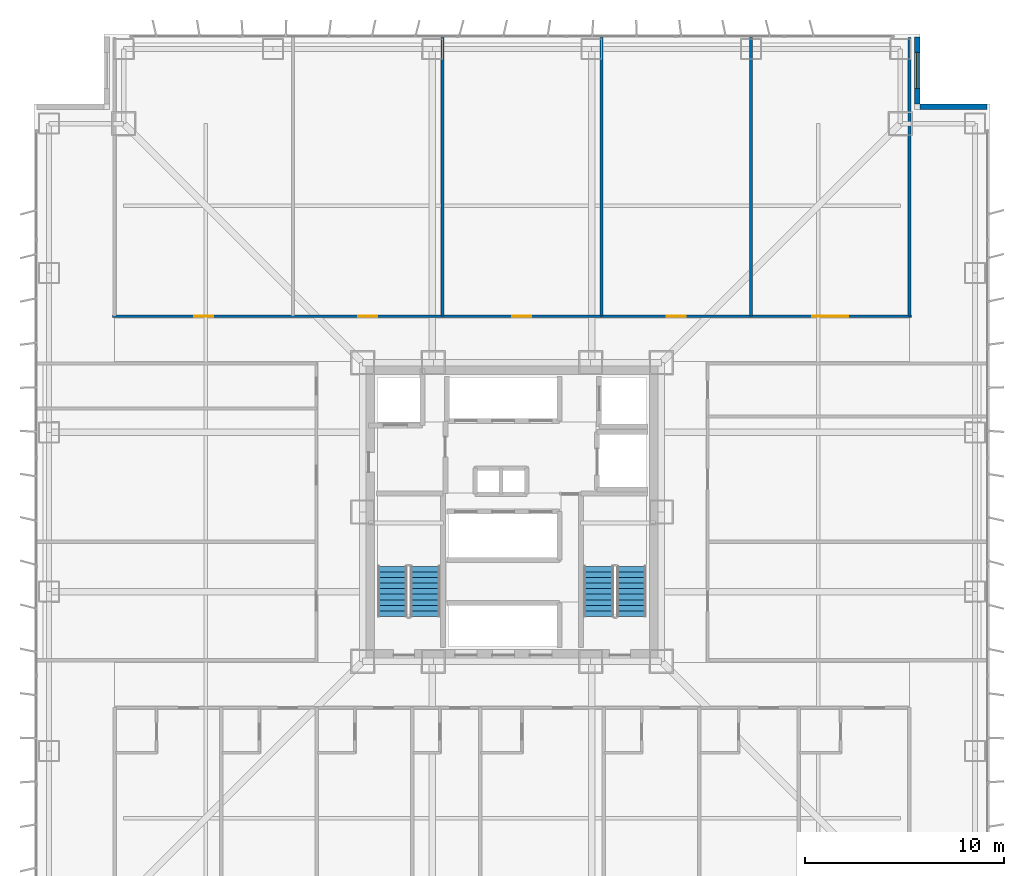
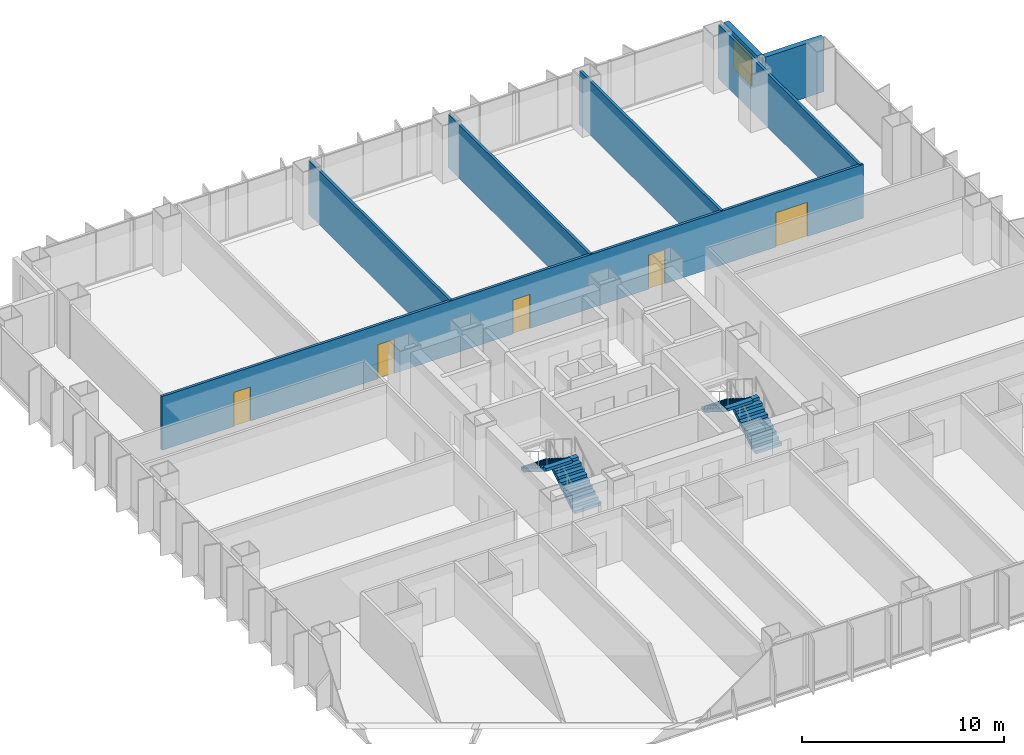
# One storey, part 16 of 19: 7 walls, 5 doors, 4 stair flights, 1 window, 6 openings, 2 elements without a shape of their own.
"""IFC4 building model written with IfcOpenShell, lengths in metres."""

from ifc_helpers import new_model, si_unit, direction, frame, frame_2d, origin, place, context, subcontext, project, spatial, polyline, rectangle, outline, extrude, material, layer, layer_set, type_object, element, fill, aggregate, save


model = new_model("IFC4")

# Units and contexts
model_context = context("Model", 3, precision=1e-05, world=origin(), true_north=direction((0.0, 1.0)))
body_context = subcontext(model_context, "Body", "Model", "MODEL_VIEW")
ifc_project = project(units=[si_unit("LENGTHUNIT", "METRE"), si_unit("AREAUNIT", "SQUARE_METRE"), si_unit("VOLUMEUNIT", "CUBIC_METRE"), si_unit("PLANEANGLEUNIT", "RADIAN"), si_unit("MASSUNIT", "GRAM", prefix="KILO")], contexts=[model_context])

# Site, building, storey
site_placement = place(None, origin())
site = spatial("IfcSite", under=ifc_project, at=site_placement, CompositionType="ELEMENT")
building_placement = place(site_placement, origin())
building = spatial("IfcBuilding", under=site, at=building_placement, Name="Trevonay Congress Spire", CompositionType="ELEMENT")
storey_placement = place(building_placement, frame((0.0, 0.0, 58.5)))
storey = spatial("IfcBuildingStorey", under=building, at=storey_placement, Name="L14", CompositionType="ELEMENT", Elevation=58.5)

# Wall, openings, doors
ifc_material_1 = material(Name="Concrete C40/50", Category="concrete")
ifc_layer_1 = layer(ifc_material_1, 0.14990234375, Name="Concrete C40/50")
ifc_layer_set_1 = layer_set([ifc_layer_1], Name="Concrete C40/50")
wall_type_1 = type_object("IfcWallType", Name="WAL-CORR-150", PredefinedType="PARTITIONING", material=ifc_layer_set_1)
wall_1_placement = place(storey_placement, frame((-20.070068359375, 9.830078125, 0.0), z_axis=(0.0, 0.0, 1.0), x_axis=(1.0, 0.0, 0.0)))
wall_1 = element("IfcWall", 1, at=wall_1_placement, inside=storey, type_object=wall_type_1, Name="L14 interior wall WP-L14N-COR", PredefinedType="PARTITIONING", context=body_context, shape_type="SweptSolid", body=[
    extrude(rectangle(XDim=40.14013671875, YDim=0.14990234375, at=frame_2d((20.070068359375, 0.0))), origin(), (0.0, 0.0, 1.0), 3.25),
])
opening_1_placement = place(wall_1_placement, frame((4.1201171875, 0.0, 0.0)))
opening_1 = element("IfcOpeningElement", 2, at=opening_1_placement, cuts=wall_1, Name="Opening D07", PredefinedType="OPENING", context=body_context, shape_type="SweptSolid", body=[
    extrude(rectangle(XDim=0.949951171875, YDim=2.06005859375, at=frame_2d((0.47509765625, 1.030029296875))), frame((0.0, 0.0849609375, 0.0), z_axis=(0.0, -1.0, 0.0), x_axis=(1.0, 0.0, 0.0)), (0.0, 0.0, 1.0), 0.169921875),
])
opening_2_placement = place(wall_1_placement, frame((12.344970703125, 0.0, 0.0)))
opening_2 = element("IfcOpeningElement", 3, at=opening_2_placement, cuts=wall_1, Name="Opening D07", PredefinedType="OPENING", context=body_context, shape_type="SweptSolid", body=[
    extrude(rectangle(XDim=0.949951171875, YDim=2.06005859375, at=frame_2d((0.47509765625, 1.030029296875))), frame((0.0, 0.0849609375, 0.0), z_axis=(0.0, -1.0, 0.0), x_axis=(1.0, 0.0, 0.0)), (0.0, 0.0, 1.0), 0.169921875),
])
opening_3_placement = place(wall_1_placement, frame((20.094970703125, 0.0, 0.0)))
opening_3 = element("IfcOpeningElement", 4, at=opening_3_placement, cuts=wall_1, Name="Opening D07", PredefinedType="OPENING", context=body_context, shape_type="SweptSolid", body=[
    extrude(rectangle(XDim=0.949951171875, YDim=2.06005859375, at=frame_2d((0.47509765625, 1.030029296875))), frame((0.0, 0.0849609375, 0.0), z_axis=(0.0, -1.0, 0.0), x_axis=(1.0, 0.0, 0.0)), (0.0, 0.0, 1.0), 0.169921875),
])
opening_4_placement = place(wall_1_placement, frame((27.844970703125, 0.0, 0.0)))
opening_4 = element("IfcOpeningElement", 5, at=opening_4_placement, cuts=wall_1, Name="Opening D07", PredefinedType="OPENING", context=body_context, shape_type="SweptSolid", body=[
    extrude(rectangle(XDim=0.949951171875, YDim=2.06005859375, at=frame_2d((0.47509765625, 1.030029296875))), frame((0.0, 0.0849609375, 0.0), z_axis=(0.0, -1.0, 0.0), x_axis=(1.0, 0.0, 0.0)), (0.0, 0.0, 1.0), 0.169921875),
])
opening_5_placement = place(wall_1_placement, frame((35.14501953125, 0.0, 0.0)))
opening_5 = element("IfcOpeningElement", 6, at=opening_5_placement, cuts=wall_1, Name="Opening D09", PredefinedType="OPENING", context=body_context, shape_type="SweptSolid", body=[
    extrude(rectangle(XDim=1.800048828125, YDim=2.080078125, at=frame_2d((0.89990234375, 1.0400390625))), frame((0.0, 0.0849609375, 0.0), z_axis=(0.0, -1.0, 0.0), x_axis=(1.0, 0.0, 0.0)), (0.0, 0.0, 1.0), 0.169921875),
])
ifc_material_2 = material(Name="Pale Anodised Aluminium EN AW-6063-T6", Category="aluminium")
door_type_1 = type_object("IfcDoorType", Name="DOR-CONF-DBL", OperationType="DOUBLE_DOOR_SINGLE_SWING", PredefinedType="DOOR", material=ifc_material_2)
door_1_placement = place(opening_5_placement, origin())
door_1 = element("IfcDoor", 7, at=door_1_placement, inside=storey, type_object=door_type_1, Name="L14 Club Reading Library Lounge Door", OperationType="DOUBLE_DOOR_SINGLE_SWING", OverallHeight=2.080078125, OverallWidth=1.800048828125, PredefinedType="DOOR", context=body_context, shape_type="SweptSolid", body=[
    extrude(rectangle(XDim=1.800048828125, YDim=2.080078125, at=frame_2d((0.89990234375, 1.0400390625))), frame((0.0, 0.02490234375, 0.0), z_axis=(0.0, -1.0, 0.0), x_axis=(1.0, 0.0, 0.0)), (0.0, 0.0, 1.0), 0.050048828125),
])
fill(opening_5, door_1)
door_type_2 = type_object("IfcDoorType", Name="DOR-OFFICE-95", OperationType="NOTDEFINED", PredefinedType="DOOR", material=ifc_material_2)
door_2_placement = place(opening_1_placement, origin())
door_2 = element("IfcDoor", 8, at=door_2_placement, inside=storey, type_object=door_type_2, Name="L14 Executive Club Co-Working Office 1 Door", OperationType="SINGLE_SWING_LEFT", OverallHeight=2.06005859375, OverallWidth=0.949951171875, PredefinedType="DOOR", context=body_context, shape_type="SweptSolid", body=[
    extrude(rectangle(XDim=0.949951171875, YDim=2.06005859375, at=frame_2d((0.47509765625, 1.030029296875))), frame((0.0, 0.02490234375, 0.0), z_axis=(0.0, -1.0, 0.0), x_axis=(1.0, 0.0, 0.0)), (0.0, 0.0, 1.0), 0.050048828125),
])
fill(opening_1, door_2)
door_3_placement = place(opening_2_placement, origin())
door_3 = element("IfcDoor", 9, at=door_3_placement, inside=storey, type_object=door_type_2, Name="L14 Visiting Delegation Office 2 Door", OperationType="SINGLE_SWING_RIGHT", OverallHeight=2.06005859375, OverallWidth=0.949951171875, PredefinedType="DOOR", context=body_context, shape_type="SweptSolid", body=[
    extrude(rectangle(XDim=0.949951171875, YDim=2.06005859375, at=frame_2d((0.47509765625, 1.030029296875))), frame((0.0, 0.02490234375, 0.0), z_axis=(0.0, -1.0, 0.0), x_axis=(1.0, 0.0, 0.0)), (0.0, 0.0, 1.0), 0.050048828125),
])
fill(opening_2, door_3)
door_4_placement = place(opening_3_placement, origin())
door_4 = element("IfcDoor", 10, at=door_4_placement, inside=storey, type_object=door_type_2, Name="L14 Diplomatic Secretariat Office 3 Door", OperationType="SINGLE_SWING_LEFT", OverallHeight=2.06005859375, OverallWidth=0.949951171875, PredefinedType="DOOR", context=body_context, shape_type="SweptSolid", body=[
    extrude(rectangle(XDim=0.949951171875, YDim=2.06005859375, at=frame_2d((0.47509765625, 1.030029296875))), frame((0.0, 0.02490234375, 0.0), z_axis=(0.0, -1.0, 0.0), x_axis=(1.0, 0.0, 0.0)), (0.0, 0.0, 1.0), 0.050048828125),
])
fill(opening_3, door_4)
door_5_placement = place(opening_4_placement, origin())
door_5 = element("IfcDoor", 11, at=door_5_placement, inside=storey, type_object=door_type_2, Name="L14 Executive Boardroom North Door", OperationType="SINGLE_SWING_RIGHT", OverallHeight=2.06005859375, OverallWidth=0.949951171875, PredefinedType="DOOR", context=body_context, shape_type="SweptSolid", body=[
    extrude(rectangle(XDim=0.949951171875, YDim=2.06005859375, at=frame_2d((0.47509765625, 1.030029296875))), frame((0.0, 0.02490234375, 0.0), z_axis=(0.0, -1.0, 0.0), x_axis=(1.0, 0.0, 0.0)), (0.0, 0.0, 1.0), 0.050048828125),
])
fill(opening_4, door_5)

# Wall, opening, window
ifc_material_3 = material(Name="Precast concrete C40/50", Category="concrete")
ifc_layer_2 = layer(ifc_material_3, 0.300048828125, Name="Precast concrete C40/50")
ifc_layer_set_2 = layer_set([ifc_layer_2], Name="Precast concrete C40/50")
wall_type_2 = type_object("IfcWallType", Name="WAL-EXT-PRECAST-300", PredefinedType="SOLIDWALL", material=ifc_layer_set_2)
wall_2_placement = place(storey_placement, frame((20.35009765625, 23.85009765625, 0.0), z_axis=(0.0, 0.0, 1.0), x_axis=(0.0, -1.0, 0.0)))
wall_2 = element("IfcWall", 12, at=wall_2_placement, inside=storey, type_object=wall_type_2, Name="L14 NE re-entrant notch exterior wall 1", PredefinedType="SOLIDWALL", context=body_context, shape_type="SweptSolid", body=[
    extrude(rectangle(XDim=3.35009765625, YDim=0.300048828125, at=frame_2d((1.675048828125, 0.0))), origin(), (0.0, 0.0, 1.0), 3.25),
])
opening_6_placement = place(wall_2_placement, frame((0.77490234375, 0.0, 0.89990234375)))
opening_6 = element("IfcOpeningElement", 13, at=opening_6_placement, cuts=wall_2, Name="Opening WN01", PredefinedType="OPENING", context=body_context, shape_type="SweptSolid", body=[
    extrude(rectangle(XDim=1.800048828125, YDim=1.800048828125, at=frame_2d((0.89990234375, 0.89990234375))), frame((0.0, 0.16015625, 0.0), z_axis=(0.0, -1.0, 0.0), x_axis=(1.0, 0.0, 0.0)), (0.0, 0.0, 1.0), 0.320068359375),
])
ifc_material_4 = material(Name="Insulated Low-E Vision Glass IGU", Category="glass")
window_type = type_object("IfcWindowType", Name="WIN-HOTEL-180X180", PartitioningType="SINGLE_PANEL", PredefinedType="WINDOW", material=ifc_material_4)
window_placement = place(opening_6_placement, origin())
window = element("IfcWindow", 14, at=window_placement, inside=storey, type_object=window_type, Name="L14 NE corner notch window", OverallHeight=1.800048828125, OverallWidth=1.800048828125, PartitioningType="SINGLE_PANEL", PredefinedType="WINDOW", context=body_context, shape_type="SweptSolid", body=[
    extrude(rectangle(XDim=1.800048828125, YDim=1.800048828125, at=frame_2d((0.89990234375, 0.89990234375))), frame((0.0, 0.030029296875, 0.0), z_axis=(0.0, -1.0, 0.0), x_axis=(1.0, 0.0, 0.0)), (0.0, 0.0, 1.0), 0.06005859375),
])
fill(opening_6, window)

# Walls
wall_3_placement = place(storey_placement, frame((23.85009765625, 20.35009765625, 0.0), z_axis=(0.0, 0.0, 1.0), x_axis=(-1.0, 0.0, 0.0)))
element("IfcWall", 15, at=wall_3_placement, inside=storey, type_object=wall_type_2, Name="L14 NE re-entrant notch exterior wall 2", PredefinedType="SOLIDWALL", context=body_context, shape_type="SweptSolid", body=[
    extrude(rectangle(XDim=3.35009765625, YDim=0.300048828125, at=frame_2d((1.675048828125, 0.0))), origin(), (0.0, 0.0, 1.0), 3.25),
])
ifc_layer_3 = layer(ifc_material_1, 0.14990234375, Name="Concrete C40/50")
ifc_layer_set_3 = layer_set([ifc_layer_3], Name="Concrete C40/50")
wall_type_3 = type_object("IfcWallType", Name="WAL-PART-150", PredefinedType="PARTITIONING", material=ifc_layer_set_3)
for number, where, z_axis, x_axis, name in (
    (16, (-3.5, 9.830078125, 0.0), (0.0, 0.0, 1.0), (0.0, 1.0, 0.0), "L14 interior wall WP-L14N-DIV3"),
    (17, (4.5, 9.830078125, 0.0), (0.0, 0.0, 1.0), (0.0, 1.0, 0.0), "L14 interior wall WP-L14N-DIV4"),
    (18, (12.0, 9.830078125, 0.0), (0.0, 0.0, 1.0), (0.0, 1.0, 0.0), "L14 interior wall WP-L14N-DIV5"),
    (19, (19.949951171875, 9.830078125, 0.0), (0.0, 0.0, 1.0), (0.0, 1.0, 0.0), "L14 interior wall WP-L14N-DIV6"),
):
    element("IfcWall", number, at=place(storey_placement, frame(where, z_axis=z_axis, x_axis=x_axis)), inside=storey, type_object=wall_type_3, Name=name, PredefinedType="PARTITIONING", context=body_context, shape_type="SweptSolid", body=[
        extrude(rectangle(XDim=13.989990234375, YDim=0.14990234375, at=frame_2d((6.9951171875, 0.0))), origin(), (0.0, 0.0, 1.0), 3.25),
    ])

# Stair, stair flights
stair_type_1 = type_object("IfcStairType", Name="STR-ST-1", PredefinedType="HALF_TURN_STAIR", material=ifc_material_1)
stair_1_placement = place(storey_placement, origin())
stair_1 = element("IfcStair", 20, at=stair_1_placement, inside=storey, type_object=stair_type_1, Name="L14 Protected Exit Stair ST-1", PredefinedType="HALF_TURN_STAIR")
stair_flight_type_1 = type_object("IfcStairFlightType", Name="SFL-ST-1", PredefinedType="STRAIGHT", material=ifc_material_1)
stair_flight_1_placement = place(storey_placement, frame((-4.35009765625, -5.25, 0.0), z_axis=(0.0, 0.0, 1.0), x_axis=(0.0, 1.0, 0.0)))
stair_flight_1 = element("IfcStairFlight", 21, at=stair_flight_1_placement, type_object=stair_flight_type_1, Name="ST-1 flight 1", NumberOfRisers=10, NumberOfTreads=9, PredefinedType="STRAIGHT", RiserHeight=0.175, TreadLength=0.28, context=body_context, shape_type="SweptSolid", body=[
    extrude(outline(polyline([(0.0, 0.0), (0.0, 0.175048828125), (0.280029296875, 0.175048828125), (0.280029296875, 0.35009765625), (0.56005859375, 0.35009765625), (0.56005859375, 0.52490234375), (0.840087890625, 0.52490234375), (0.840087890625, 0.699951171875), (1.1201171875, 0.699951171875), (1.1201171875, 0.875), (1.39990234375, 0.875), (1.39990234375, 1.050048828125), (1.679931640625, 1.050048828125), (1.679931640625, 1.22509765625), (1.9599609375, 1.22509765625), (1.9599609375, 1.39990234375), (2.239990234375, 1.39990234375), (2.239990234375, 1.574951171875), (2.52001953125, 1.574951171875), (2.52001953125, 1.75), (2.52001953125, 1.398193359375), (0.28271484375, 0.0), (0.0, 0.0)])), frame((0.0, 0.75, 0.0), z_axis=(0.0, -1.0, 0.0), x_axis=(1.0, 0.0, 0.0)), (0.0, 0.0, 1.0), 1.5),
])
stair_flight_2_placement = place(storey_placement, frame((-6.0, -2.72998046875, 1.75), z_axis=(0.0, 0.0, 1.0), x_axis=(0.0, -1.0, 0.0)))
stair_flight_2 = element("IfcStairFlight", 22, at=stair_flight_2_placement, type_object=stair_flight_type_1, Name="ST-1 flight 2", NumberOfRisers=10, NumberOfTreads=9, PredefinedType="STRAIGHT", RiserHeight=0.175, TreadLength=0.28, context=body_context, shape_type="SweptSolid", body=[
    extrude(outline(polyline([(0.0, 0.0), (0.0, 0.175048828125), (0.280029296875, 0.175048828125), (0.280029296875, 0.35009765625), (0.56005859375, 0.35009765625), (0.56005859375, 0.52490234375), (0.840087890625, 0.52490234375), (0.840087890625, 0.699951171875), (1.1201171875, 0.699951171875), (1.1201171875, 0.875), (1.39990234375, 0.875), (1.39990234375, 1.050048828125), (1.679931640625, 1.050048828125), (1.679931640625, 1.22509765625), (1.9599609375, 1.22509765625), (1.9599609375, 1.39990234375), (2.239990234375, 1.39990234375), (2.239990234375, 1.574951171875), (2.52001953125, 1.574951171875), (2.52001953125, 1.75), (2.52001953125, 1.398193359375), (0.28271484375, 0.0), (0.0, 0.0)])), frame((0.0, 0.75, 0.0), z_axis=(0.0, -1.0, 0.0), x_axis=(1.0, 0.0, 0.0)), (0.0, 0.0, 1.0), 1.5),
])
aggregate(stair_1, [stair_flight_1, stair_flight_2])

stair_type_2 = type_object("IfcStairType", Name="STR-ST-2", PredefinedType="HALF_TURN_STAIR", material=ifc_material_1)
stair_2_placement = place(storey_placement, origin())
stair_2 = element("IfcStair", 23, at=stair_2_placement, inside=storey, type_object=stair_type_2, Name="L14 Protected Exit Stair ST-2", PredefinedType="HALF_TURN_STAIR")
stair_flight_type_2 = type_object("IfcStairFlightType", Name="SFL-ST-2", PredefinedType="STRAIGHT", material=ifc_material_1)
stair_flight_3_placement = place(storey_placement, frame((6.0, -5.25, 0.0), z_axis=(0.0, 0.0, 1.0), x_axis=(0.0, 1.0, 0.0)))
stair_flight_3 = element("IfcStairFlight", 24, at=stair_flight_3_placement, type_object=stair_flight_type_2, Name="ST-2 flight 1", NumberOfRisers=10, NumberOfTreads=9, PredefinedType="STRAIGHT", RiserHeight=0.175, TreadLength=0.28, context=body_context, shape_type="SweptSolid", body=[
    extrude(outline(polyline([(0.0, 0.0), (0.0, 0.175048828125), (0.280029296875, 0.175048828125), (0.280029296875, 0.35009765625), (0.56005859375, 0.35009765625), (0.56005859375, 0.52490234375), (0.840087890625, 0.52490234375), (0.840087890625, 0.699951171875), (1.1201171875, 0.699951171875), (1.1201171875, 0.875), (1.39990234375, 0.875), (1.39990234375, 1.050048828125), (1.679931640625, 1.050048828125), (1.679931640625, 1.22509765625), (1.9599609375, 1.22509765625), (1.9599609375, 1.39990234375), (2.239990234375, 1.39990234375), (2.239990234375, 1.574951171875), (2.52001953125, 1.574951171875), (2.52001953125, 1.75), (2.52001953125, 1.398193359375), (0.28271484375, 0.0), (0.0, 0.0)])), frame((0.0, 0.75, 0.0), z_axis=(0.0, -1.0, 0.0), x_axis=(1.0, 0.0, 0.0)), (0.0, 0.0, 1.0), 1.5),
])
stair_flight_4_placement = place(storey_placement, frame((4.35009765625, -2.72998046875, 1.75), z_axis=(0.0, 0.0, 1.0), x_axis=(0.0, -1.0, 0.0)))
stair_flight_4 = element("IfcStairFlight", 25, at=stair_flight_4_placement, type_object=stair_flight_type_2, Name="ST-2 flight 2", NumberOfRisers=10, NumberOfTreads=9, PredefinedType="STRAIGHT", RiserHeight=0.175, TreadLength=0.28, context=body_context, shape_type="SweptSolid", body=[
    extrude(outline(polyline([(0.0, 0.0), (0.0, 0.175048828125), (0.280029296875, 0.175048828125), (0.280029296875, 0.35009765625), (0.56005859375, 0.35009765625), (0.56005859375, 0.52490234375), (0.840087890625, 0.52490234375), (0.840087890625, 0.699951171875), (1.1201171875, 0.699951171875), (1.1201171875, 0.875), (1.39990234375, 0.875), (1.39990234375, 1.050048828125), (1.679931640625, 1.050048828125), (1.679931640625, 1.22509765625), (1.9599609375, 1.22509765625), (1.9599609375, 1.39990234375), (2.239990234375, 1.39990234375), (2.239990234375, 1.574951171875), (2.52001953125, 1.574951171875), (2.52001953125, 1.75), (2.52001953125, 1.398193359375), (0.28271484375, 0.0), (0.0, 0.0)])), frame((0.0, 0.75, 0.0), z_axis=(0.0, -1.0, 0.0), x_axis=(1.0, 0.0, 0.0)), (0.0, 0.0, 1.0), 1.5),
])
aggregate(stair_2, [stair_flight_3, stair_flight_4])

save(model, "model.ifc")
